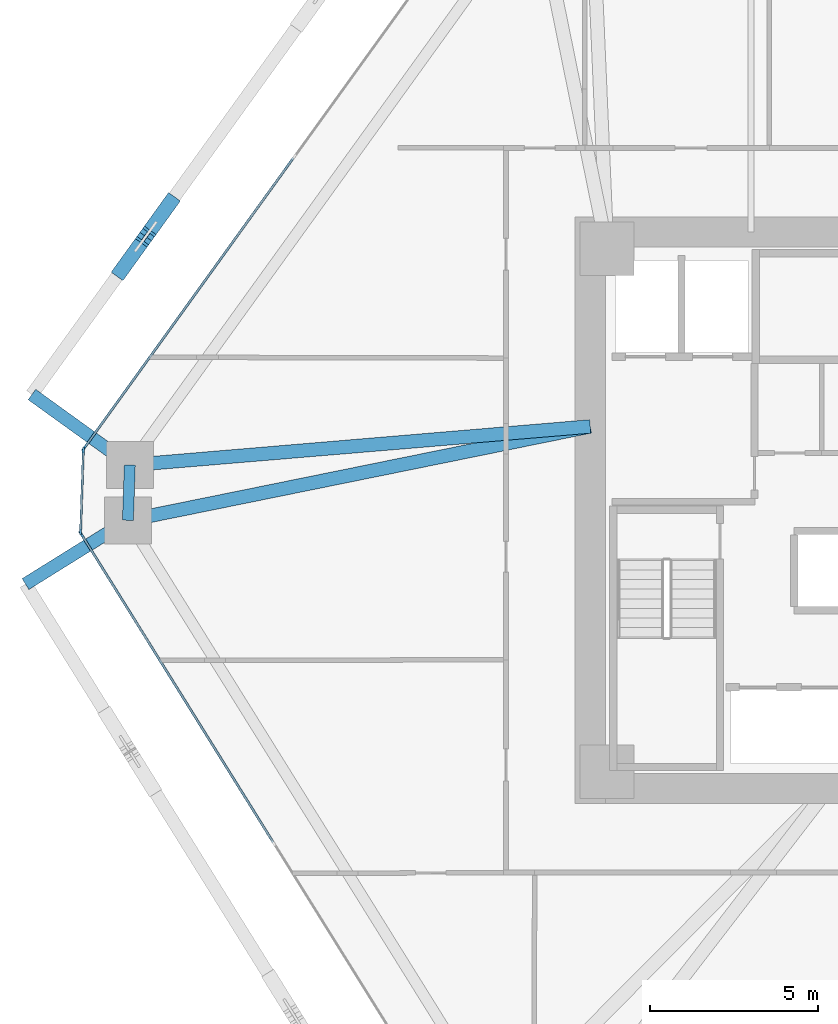
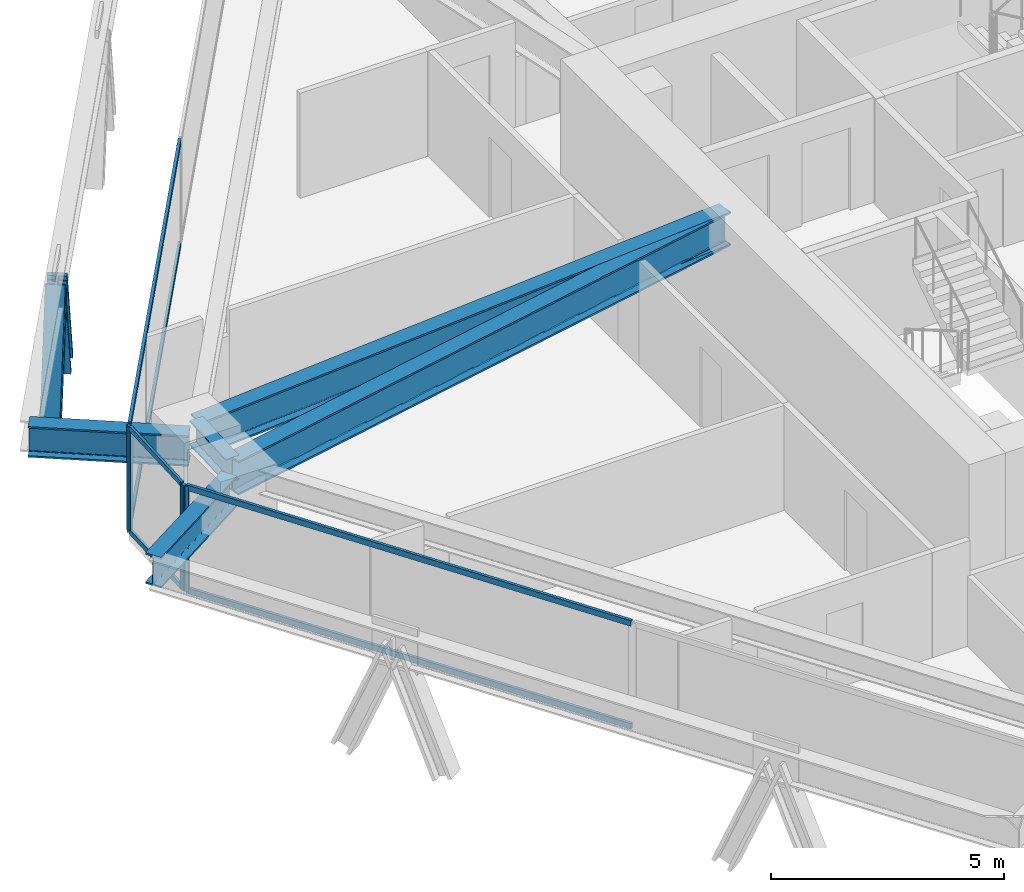
# One storey, part 4 of 18: 12 members, 5 beams, 3 elements without a shape of their own.
"""IFC4 building model written with IfcOpenShell, lengths in metres."""

import ifcopenshell
import ifcopenshell.guid

model = None  # the IFC model being written
_history = None  # IfcOwnerHistory: only IFC2X3 demands one
_inside = {}  # id of a spatial element -> (the spatial element, [elements in it])
_under = {}  # id of a project, library or spatial element -> (it, [spatial elements below it])
_declared = {}  # id of a project -> (the project, [libraries it declares])
_typed = {}  # id of a type object -> (the type object, [elements of that type])
_made_of = {}  # id of a material, layer set ... -> (it, [elements and type objects made of it])


def new_model(schema):
    """Start an empty IFC model of exactly this schema.

    Asked for "IFC4X3", IfcOpenShell would pick the latest addendum, in which some entities
    have other attributes; the version numbers below select the first issue.
    IFC2X3 requires an IfcOwnerHistory on every rooted entity: one is made here for all.
    """
    global model, _history
    if schema == "IFC4X3":
        model = ifcopenshell.file(schema_version=(4, 3, 0, 0))
    else:
        model = ifcopenshell.file(schema=schema)
    _inside.clear()
    _under.clear()
    _declared.clear()
    _typed.clear()
    _made_of.clear()
    _history = None
    if model.schema == "IFC2X3":
        org = make("IfcOrganization", Name="unknown")
        user = make(
            "IfcPersonAndOrganization",
            ThePerson=make("IfcPerson", FamilyName="unknown"),
            TheOrganization=org,
        )
        app = make(
            "IfcApplication",
            ApplicationDeveloper=org,
            Version="unknown",
            ApplicationFullName="unknown",
            ApplicationIdentifier="unknown",
        )
        _history = make(
            "IfcOwnerHistory",
            OwningUser=user,
            OwningApplication=app,
            ChangeAction="ADDED",
            CreationDate=0,
        )
    return model


def make(cls, **values):
    """One entity of the class cls with the attributes given. An attribute that is None is left unset."""
    return model.create_entity(
        cls, **{name: value for name, value in values.items() if value is not None}
    )


def rooted(cls, **values):
    """An entity with a GlobalId (a new one), such as an element, a storey or a relation."""
    return make(cls, GlobalId=ifcopenshell.guid.new(), OwnerHistory=_history, **values)


def si_unit(unit_type, name, prefix=None):
    """IfcSIUnit, for example si_unit("LENGTHUNIT", "METRE", prefix="MILLI")."""
    return make("IfcSIUnit", UnitType=unit_type, Prefix=prefix, Name=name)


def assignment(units):
    """IfcUnitAssignment: the units of a project."""
    return None if units is None else make("IfcUnitAssignment", Units=units)


def point(xyz):
    """IfcCartesianPoint."""
    return None if xyz is None else make("IfcCartesianPoint", Coordinates=xyz)


def direction(xyz):
    """IfcDirection."""
    return None if xyz is None else make("IfcDirection", DirectionRatios=xyz)


def frame(location, z_axis=None, x_axis=None):
    """IfcAxis2Placement3D, a coordinate frame: its origin and axes. An axis left out is left unset."""
    return make(
        "IfcAxis2Placement3D",
        Location=point(location),
        Axis=direction(z_axis),
        RefDirection=direction(x_axis),
    )


def frame_2d(location, x_axis=None):
    """IfcAxis2Placement2D, a coordinate frame in the plane: its origin and x axis."""
    return make(
        "IfcAxis2Placement2D", Location=point(location), RefDirection=direction(x_axis)
    )


def origin():
    """The frame at (0, 0, 0) with its axes left unset."""
    return frame((0.0, 0.0, 0.0))


def origin_2d():
    """The frame at (0, 0) in the plane with its x axis left unset."""
    return frame_2d((0.0, 0.0))


def place(relative_to, where):
    """IfcLocalPlacement: puts the frame where relative to a parent placement (None: the world)."""
    return make(
        "IfcLocalPlacement", PlacementRelTo=relative_to, RelativePlacement=where
    )


def context(
    kind, dimensions, precision=None, world=None, true_north=None, identifier=None
):
    """IfcGeometricRepresentationContext, for example the 3D "Model" context."""
    return make(
        "IfcGeometricRepresentationContext",
        ContextIdentifier=identifier,
        ContextType=kind,
        CoordinateSpaceDimension=dimensions,
        Precision=precision,
        WorldCoordinateSystem=world,
        TrueNorth=true_north,
    )


def subcontext(parent, identifier, kind, view, scale=None):
    """IfcGeometricRepresentationSubContext, for example "Body" below "Model"."""
    return make(
        "IfcGeometricRepresentationSubContext",
        ContextIdentifier=identifier,
        ContextType=kind,
        ParentContext=parent,
        TargetScale=scale,
        TargetView=view,
    )


def project(units=None, contexts=None):
    """IfcProject with its units and contexts."""
    return rooted(
        "IfcProject",
        Name="project",
        RepresentationContexts=contexts,
        UnitsInContext=assignment(units),
    )


def spatial(cls, under=None, at=None, **own):
    """A site, building, storey or space (cls), placed at a placement, below another one or the project."""
    s = rooted(cls, ObjectPlacement=at, **own)
    if under is not None:
        _under.setdefault(under.id(), (under, []))[1].append(s)
    return s


def profile(cls, at=None, kind="AREA", **sizes):
    """A parametric profile (cls). Its sizes go by their IFC names, for example OverallWidth=200.0."""
    return make(cls, ProfileType=kind, Position=at, **sizes)


def rectangle(**sizes):
    """IfcRectangleProfileDef."""
    return profile("IfcRectangleProfileDef", **sizes)


def i_section(**sizes):
    """IfcIShapeProfileDef."""
    return profile("IfcIShapeProfileDef", **sizes)


def extrude(swept, where, along, depth):
    """IfcExtrudedAreaSolid: the profile swept, set in the frame where, extruded along a direction by depth."""
    return make(
        "IfcExtrudedAreaSolid",
        SweptArea=swept,
        Position=where,
        ExtrudedDirection=direction(along),
        Depth=depth,
    )


def shape(context_of_items, identifier, shape_type, items):
    """IfcShapeRepresentation: the items that make up one representation, for example the "Body"."""
    return make(
        "IfcShapeRepresentation",
        ContextOfItems=context_of_items,
        RepresentationIdentifier=identifier,
        RepresentationType=shape_type,
        Items=items,
    )


def source(mapping_origin, context_of_items, identifier, shape_type, items):
    """IfcRepresentationMap: a shape defined once, which mapped items show again and again."""
    return make(
        "IfcRepresentationMap",
        MappingOrigin=mapping_origin,
        MappedRepresentation=shape(context_of_items, identifier, shape_type, items),
    )


def transform(
    local_origin,
    x_axis=None,
    y_axis=None,
    z_axis=None,
    scale=None,
    scale2=None,
    scale3=None,
    uniform=True,
):
    """IfcCartesianTransformationOperator3D, or its non-uniform kind. x_axis, y_axis, z_axis: its Axis1, 2, 3."""
    if uniform:
        return make(
            "IfcCartesianTransformationOperator3D",
            Axis1=direction(x_axis),
            Axis2=direction(y_axis),
            LocalOrigin=point(local_origin),
            Scale=scale,
            Axis3=direction(z_axis),
        )
    return make(
        "IfcCartesianTransformationOperator3DnonUniform",
        Axis1=direction(x_axis),
        Axis2=direction(y_axis),
        LocalOrigin=point(local_origin),
        Scale=scale,
        Axis3=direction(z_axis),
        Scale2=scale2,
        Scale3=scale3,
    )


def mapped(mapping_source, mapping_target):
    """IfcMappedItem: shows the shape of a source again, moved by a transform."""
    return make(
        "IfcMappedItem", MappingSource=mapping_source, MappingTarget=mapping_target
    )


def material(Name=None, Category=None):
    """IfcMaterial."""
    return make("IfcMaterial", Name=Name, Category=Category)


def layer(
    of_material, thickness, ventilated=None, Name=None, Category=None, Priority=None
):
    """IfcMaterialLayer: one layer of a wall or slab, of a material (None: an air gap)."""
    return make(
        "IfcMaterialLayer",
        Material=of_material,
        LayerThickness=thickness,
        IsVentilated=ventilated,
        Name=Name,
        Category=Category,
        Priority=Priority,
    )


def layer_set(layers, Name=None):
    """IfcMaterialLayerSet."""
    return make("IfcMaterialLayerSet", MaterialLayers=layers, LayerSetName=Name)


def material_profile(
    of_material, cross_section, Name=None, Category=None, Priority=None
):
    """IfcMaterialProfile: a cross section and its material."""
    return make(
        "IfcMaterialProfile",
        Name=Name,
        Material=of_material,
        Profile=cross_section,
        Priority=Priority,
        Category=Category,
    )


def profile_set(profiles, Name=None, composite=None):
    """IfcMaterialProfileSet."""
    return make(
        "IfcMaterialProfileSet",
        Name=Name,
        MaterialProfiles=profiles,
        CompositeProfile=composite,
    )


def made_of(thing, what):
    """Note that an element or type object is made of a material, layer set ...; save() writes the relation."""
    if what is not None:
        _made_of.setdefault(what.id(), (what, []))[1].append(thing)
    return thing


def type_object(cls, material=None, **own):
    """A type object (cls), such as IfcWallType, which elements share."""
    return made_of(rooted(cls, **own), material)


def type_shapes(of_type, sources):
    """Give a type object the sources (RepresentationMaps) that its elements show as mapped items."""
    of_type.RepresentationMaps = sources


def element(
    cls,
    number,
    at=None,
    inside=None,
    cuts=None,
    type_object=None,
    material=None,
    context=None,
    identifier="Body",
    shape_type=None,
    held_by="IfcProductDefinitionShape",
    body=None,
    shapes=None,
    **own,
):
    """One element of the class cls, such as IfcWall. Its Tag is "e" and its number.

    at: its placement. inside: the storey or other place that contains it. cuts: it is an
    opening in that element (IfcRelVoidsElement). A single representation is given by context,
    identifier, shape_type and body (its items); several are given by shapes. held_by: the class
    of the entity that holds the representations. save() writes the other relations.
    """
    e = rooted(cls, Tag="e%d" % number, ObjectPlacement=at, **own)
    if body is not None:
        shapes = [shape(context, identifier, shape_type, body)]
    if shapes is not None:
        e.Representation = make(held_by, Representations=shapes)
    if inside is not None:
        _inside.setdefault(inside.id(), (inside, []))[1].append(e)
    if cuts is not None:
        rooted(
            "IfcRelVoidsElement", RelatingBuildingElement=cuts, RelatedOpeningElement=e
        )
    if type_object is not None:
        _typed.setdefault(type_object.id(), (type_object, []))[1].append(e)
    return made_of(e, material)


def aggregate(whole, parts):
    """IfcRelAggregates: a whole, such as a stair, and the parts it consists of."""
    return rooted("IfcRelAggregates", RelatingObject=whole, RelatedObjects=parts)


def save(model, path):
    """Write the relations noted so far, then the file.

    IfcRelAggregates (storeys below a building ...), IfcRelContainedInSpatialStructure (elements
    in a storey), IfcRelDefinesByType, IfcRelAssociatesMaterial and IfcRelDeclares: one each for
    every whole, place, type object, material and project.
    """
    for whole, parts in _under.values():
        aggregate(whole, parts)
    for where, things in _inside.values():
        rooted(
            "IfcRelContainedInSpatialStructure",
            RelatedElements=things,
            RelatingStructure=where,
        )
    for kind, things in _typed.values():
        rooted("IfcRelDefinesByType", RelatedObjects=things, RelatingType=kind)
    for what, things in _made_of.values():
        rooted("IfcRelAssociatesMaterial", RelatedObjects=things, RelatingMaterial=what)
    for by, libraries in _declared.values():
        rooted("IfcRelDeclares", RelatingContext=by, RelatedDefinitions=libraries)
    model.write(path)


model = new_model("IFC4")

# Units and contexts
model_context = context("Model", 3, precision=1e-05, world=origin(), true_north=direction((0.0, 1.0)))
body_context = subcontext(model_context, "Body", "Model", "MODEL_VIEW")
ifc_project = project(units=[si_unit("LENGTHUNIT", "METRE"), si_unit("AREAUNIT", "SQUARE_METRE"), si_unit("VOLUMEUNIT", "CUBIC_METRE"), si_unit("PLANEANGLEUNIT", "RADIAN"), si_unit("MASSUNIT", "GRAM", prefix="KILO")], contexts=[model_context])

# Site, building, storey
site_placement = place(None, origin())
site = spatial("IfcSite", under=ifc_project, at=site_placement, CompositionType="ELEMENT")
building_placement = place(site_placement, origin())
building = spatial("IfcBuilding", under=site, at=building_placement, Name="Durnholm Broadcast Tower", CompositionType="ELEMENT")
storey_placement = place(building_placement, frame((0.0, 0.0, 78.300048828125)))
storey = spatial("IfcBuildingStorey", under=building, at=storey_placement, Name="L20", CompositionType="ELEMENT", Elevation=78.300048828125)

# Beams
ifc_material_1 = material(Name="Steel ASTM A992 Grade 50", Category="steel")
ifc_material_profile_1 = material_profile(ifc_material_1, i_section(OverallWidth=0.3291015625, OverallDepth=0.635009765625, WebThickness=0.017822265625, FlangeThickness=0.031005859375, FilletRadius=0.02783203125, at=origin_2d()), Name="W24X162")
ifc_profile_set_1 = profile_set([ifc_material_profile_1], Name="Steel ASTM A992 Grade 50")
beam_type_1 = type_object("IfcBeamType", Name="STL-SP-W24X162", PredefinedType="SPANDREL", material=ifc_profile_set_1)
shared_shape_1 = source(origin(), body_context, "Body", "SweptSolid", [
    extrude(i_section(OverallWidth=0.3291015625, OverallDepth=0.635009765625, WebThickness=0.017822265625, FlangeThickness=0.031005859375, FilletRadius=0.02783203125, at=origin_2d()), origin(), (0.0, 0.0, 1.0), 1.648193359375),
])
type_shapes(beam_type_1, [shared_shape_1])
beam_1_placement = place(storey_placement, frame((-24.0908203125, -0.2998046875, 2.427490234375), z_axis=(0.033921477804, 0.999424501072, 0.0), x_axis=(-0.999424501072, 0.033921477804, 0.0)))
element("IfcBeam", 1, at=beam_1_placement, inside=storey, type_object=beam_type_1, Name="L20 perimeter spandrel girder 02", PredefinedType="SPANDREL", context=body_context, shape_type="MappedRepresentation", body=[
    mapped(shared_shape_1, transform((0.0, 0.0, 0.0), x_axis=(1.0, 0.0, 0.0), y_axis=(0.0, 1.0, 0.0), z_axis=(0.0, 0.0, 1.0), scale=1.0)),
])
ifc_material_profile_2 = material_profile(ifc_material_1, i_section(OverallWidth=0.404052734375, OverallDepth=0.885009765625, WebThickness=0.0244140625, FlangeThickness=0.0439453125, FilletRadius=0.03564453125, at=origin_2d()), Name="W33X291")
ifc_profile_set_2 = profile_set([ifc_material_profile_2], Name="Steel ASTM A992 Grade 50")
beam_type_2 = type_object("IfcBeamType", Name="STL-GR-W33X291", PredefinedType="USERDEFINED", material=ifc_profile_set_2)
shared_shape_2 = source(origin(), body_context, "Body", "SweptSolid", [
    extrude(i_section(OverallWidth=0.404052734375, OverallDepth=0.885009765625, WebThickness=0.0244140625, FlangeThickness=0.0439453125, FilletRadius=0.03564453125, at=origin_2d()), origin(), (0.0, 0.0, 1.0), 14.072021484375),
])
beam_2_placement = place(storey_placement, frame((-10.300048828125, 2.5, 2.302490234375), z_axis=(-0.980007356767, -0.198961254225, 0.0), x_axis=(0.198961254225, -0.980007356767, 0.0)))
element("IfcBeam", 2, at=beam_2_placement, inside=storey, type_object=beam_type_2, Name="L20 radial primary floor girder 02", ObjectType="GIRDER", PredefinedType="USERDEFINED", context=body_context, shape_type="MappedRepresentation", body=[
    mapped(shared_shape_2, transform((0.0, 0.0, 0.0), x_axis=(1.0, 0.0, 0.0), y_axis=(0.0, 1.0, 0.0), z_axis=(0.0, 0.0, 1.0), scale=1.0)),
])
shared_shape_3 = source(origin(), body_context, "Body", "SweptSolid", [
    extrude(i_section(OverallWidth=0.404052734375, OverallDepth=0.885009765625, WebThickness=0.0244140625, FlangeThickness=0.0439453125, FilletRadius=0.03564453125, at=origin_2d()), origin(), (0.0, 0.0, 1.0), 13.783203125),
])
type_shapes(beam_type_2, [shared_shape_2, shared_shape_3])
beam_3_placement = place(storey_placement, frame((-10.300048828125, 2.5, 2.302490234375), z_axis=(-0.996497460403, -0.083623031579, 0.0), x_axis=(0.083623031579, -0.996497460403, 0.0)))
element("IfcBeam", 3, at=beam_3_placement, inside=storey, type_object=beam_type_2, Name="L20 radial primary floor girder 03", ObjectType="GIRDER", PredefinedType="USERDEFINED", context=body_context, shape_type="MappedRepresentation", body=[
    mapped(shared_shape_3, transform((0.0, 0.0, 0.0), x_axis=(1.0, 0.0, 0.0), y_axis=(0.0, 1.0, 0.0), z_axis=(0.0, 0.0, 1.0), scale=1.0)),
])
ifc_material_profile_3 = material_profile(ifc_material_1, i_section(OverallWidth=0.385009765625, OverallDepth=0.802978515625, WebThickness=0.023681640625, FlangeThickness=0.0419921875, FilletRadius=0.032958984375, at=origin_2d()), Name="W30X261")
ifc_profile_set_3 = profile_set([ifc_material_profile_3], Name="Steel ASTM A992 Grade 50")
beam_type_3 = type_object("IfcBeamType", Name="BM-EXO-TIE", PredefinedType="USERDEFINED", material=ifc_profile_set_3)
shared_shape_4 = source(origin(), body_context, "Body", "SweptSolid", [
    extrude(i_section(OverallWidth=0.385009765625, OverallDepth=0.802978515625, WebThickness=0.023681640625, FlangeThickness=0.0419921875, FilletRadius=0.032958984375, at=origin_2d()), origin(), (0.0, 0.0, 1.0), 3.4560546875),
])
beam_4_placement = place(storey_placement, frame((-24.212890625, -0.375732421875, 2.008544921875), z_axis=(-0.848874183218, -0.528594949906, 0.0), x_axis=(0.528594949906, -0.848874183218, 0.0)))
element("IfcBeam", 4, at=beam_4_placement, inside=storey, type_object=beam_type_3, Name="L20 exoskeleton stand-off tie bracket F6.1", ObjectType="GIRDER", PredefinedType="USERDEFINED", context=body_context, shape_type="MappedRepresentation", body=[
    mapped(shared_shape_4, transform((0.0, 0.0, 0.0), x_axis=(1.0, 0.0, 0.0), y_axis=(0.0, 1.0, 0.0), z_axis=(0.0, 0.0, 1.0), scale=1.0)),
])
shared_shape_5 = source(origin(), body_context, "Body", "SweptSolid", [
    extrude(i_section(OverallWidth=0.385009765625, OverallDepth=0.802978515625, WebThickness=0.023681640625, FlangeThickness=0.0419921875, FilletRadius=0.032958984375, at=origin_2d()), origin(), (0.0, 0.0, 1.0), 3.455810546875),
])
type_shapes(beam_type_3, [shared_shape_4, shared_shape_5])
beam_5_placement = place(storey_placement, frame((-24.15185546875, 1.431396484375, 2.008544921875), z_axis=(-0.811133512552, 0.584861030344, 0.0), x_axis=(-0.584861030344, -0.811133512552, 0.0)))
element("IfcBeam", 5, at=beam_5_placement, inside=storey, type_object=beam_type_3, Name="L20 exoskeleton stand-off tie bracket F5.2", ObjectType="GIRDER", PredefinedType="USERDEFINED", context=body_context, shape_type="MappedRepresentation", body=[
    mapped(shared_shape_5, transform((0.0, 0.0, 0.0), x_axis=(1.0, 0.0, 0.0), y_axis=(0.0, 1.0, 0.0), z_axis=(0.0, 0.0, 1.0), scale=1.0)),
])

# Members
ifc_material_2 = material(Name="Steel ASTM A913 Grade 65", Category="steel")
ifc_material_profile_4 = material_profile(ifc_material_2, i_section(OverallWidth=0.43212890625, OverallDepth=0.497802734375, WebThickness=0.0556640625, FlangeThickness=0.0888671875, FilletRadius=0.030517578125, at=origin_2d()), Name="W14X500")
ifc_profile_set_4 = profile_set([ifc_material_profile_4], Name="Steel ASTM A913 Grade 65")
member_type_1 = type_object("IfcMemberType", Name="STL-DG-W14X500", PredefinedType="BRACE", material=ifc_profile_set_4)
shared_shape_6 = source(origin(), body_context, "Body", "SweptSolid", [
    extrude(i_section(OverallWidth=0.43212890625, OverallDepth=0.497802734375, WebThickness=0.0556640625, FlangeThickness=0.0888671875, FilletRadius=0.030517578125, at=origin_2d()), origin(), (0.0, 0.0, 1.0), 3.243896484375),
])
member_1_placement = place(storey_placement, frame((-22.837890625, 9.163330078125, -0.991455078125), z_axis=(-0.222479198439, -0.308505492017, 0.924839103659), x_axis=(0.81109123444, -0.58491966065, 0.0)))
element("IfcMember", 6, at=member_1_placement, inside=storey, type_object=member_type_1, Name="L20 stand-off diagrid brace F5.D2.1", PredefinedType="BRACE", context=body_context, shape_type="MappedRepresentation", body=[
    mapped(shared_shape_6, transform((0.0, 0.0, 0.0), x_axis=(1.0, 0.0, 0.0), y_axis=(0.0, 1.0, 0.0), z_axis=(0.0, 0.0, 1.0), scale=1.0)),
])
shared_shape_7 = source(origin(), body_context, "Body", "SweptSolid", [
    extrude(i_section(OverallWidth=0.43212890625, OverallDepth=0.497802734375, WebThickness=0.0556640625, FlangeThickness=0.0888671875, FilletRadius=0.030517578125, at=origin_2d()), origin(), (0.0, 0.0, 1.0), 3.24365234375),
])
type_shapes(member_type_1, [shared_shape_6, shared_shape_7])
member_2_placement = place(storey_placement, frame((-24.281005859375, 7.161865234375, -0.991455078125), z_axis=(0.222407658365, 0.308510657069, 0.924854587476), x_axis=(-0.811185111535, 0.584789461963, 0.0)))
element("IfcMember", 7, at=member_2_placement, inside=storey, type_object=member_type_1, Name="L20 stand-off diagrid brace F5.D2.2", PredefinedType="BRACE", context=body_context, shape_type="MappedRepresentation", body=[
    mapped(shared_shape_7, transform((0.0, 0.0, 0.0), x_axis=(1.0, 0.0, 0.0), y_axis=(0.0, 1.0, 0.0), z_axis=(0.0, 0.0, 1.0), scale=1.0)),
])

# Curtain wall, members
ifc_material_3 = material(Name="Aluminium and Solar Control IGU", Category="aluminium")
ifc_layer_1 = layer(ifc_material_3, 0.1650390625)
ifc_layer_set_1 = layer_set([ifc_layer_1], Name="Aluminium and Solar Control IGU")
curtain_wall_type_1 = type_object("IfcCurtainWallType", Name="CW-SYS-5", PredefinedType="NOTDEFINED", material=ifc_layer_set_1)
curtain_wall_1_placement = place(storey_placement, origin())
curtain_wall_1 = element("IfcCurtainWall", 8, at=curtain_wall_1_placement, inside=storey, type_object=curtain_wall_type_1, Name="L20 curtain wall CW-CORNER CW-L20-CRN-01", PredefinedType="NOTDEFINED")
ifc_material_4 = material(Name="Aluminium 6063-T6", Category="aluminium")
ifc_material_profile_5 = material_profile(ifc_material_4, rectangle(XDim=0.06494140625, YDim=0.1298828125, at=origin_2d()), Name="CWT65X130")
ifc_profile_set_5 = profile_set([ifc_material_profile_5], Name="Aluminium 6063-T6")
member_type_2 = type_object("IfcMemberType", Name="CW-SYS-5-TRN", PredefinedType="USERDEFINED", material=ifc_profile_set_5)
shared_shape_8 = source(origin(), body_context, "Body", "SweptSolid", [
    extrude(rectangle(XDim=0.06494140625, YDim=0.1298828125, at=origin_2d()), origin(), (0.0, 0.0, 1.0), 2.3701171875),
])
type_shapes(member_type_2, [shared_shape_8])
member_3_placement = place(storey_placement, frame((-25.502197265625, -0.613037109375, 0.032470703125), z_axis=(0.033788158898, 0.999429017148, 0.0), x_axis=(-0.999429017148, 0.033788158898, 0.0)))
member_3 = element("IfcMember", 9, at=member_3_placement, type_object=member_type_2, Name="CW-CORNER transom 1.1", ObjectType="TRANSOM", PredefinedType="USERDEFINED", context=body_context, shape_type="MappedRepresentation", body=[
    mapped(shared_shape_8, transform((0.0, 0.0, 0.0), x_axis=(1.0, 0.0, 0.0), y_axis=(0.0, 1.0, 0.0), z_axis=(0.0, 0.0, 1.0), scale=1.0)),
])
member_4_placement = place(storey_placement, frame((-25.502197265625, -0.613037109375, 2.7275390625), z_axis=(0.033788158898, 0.999429017148, 0.0), x_axis=(-0.999429017148, 0.033788158898, 0.0)))
member_4 = element("IfcMember", 10, at=member_4_placement, type_object=member_type_2, Name="CW-CORNER transom 1.2", ObjectType="TRANSOM", PredefinedType="USERDEFINED", context=body_context, shape_type="MappedRepresentation", body=[
    mapped(shared_shape_8, transform((0.0, 0.0, 0.0), x_axis=(1.0, 0.0, 0.0), y_axis=(0.0, 1.0, 0.0), z_axis=(0.0, 0.0, 1.0), scale=1.0)),
])

ifc_layer_2 = layer(ifc_material_3, 0.18994140625)
ifc_layer_set_2 = layer_set([ifc_layer_2], Name="Aluminium and Solar Control IGU")
curtain_wall_type_2 = type_object("IfcCurtainWallType", Name="CW-SYS-3", PredefinedType="NOTDEFINED", material=ifc_layer_set_2)
curtain_wall_2_placement = place(storey_placement, origin())
curtain_wall_2 = element("IfcCurtainWall", 11, at=curtain_wall_2_placement, inside=storey, type_object=curtain_wall_type_2, Name="L20 curtain wall CW-Z12-VIS CW-L20-F02", PredefinedType="NOTDEFINED")
ifc_material_profile_6 = material_profile(ifc_material_4, rectangle(XDim=0.070068359375, YDim=0.14990234375, at=origin_2d()), Name="CWT70X150")
ifc_profile_set_6 = profile_set([ifc_material_profile_6], Name="Aluminium 6063-T6")
member_type_3 = type_object("IfcMemberType", Name="CW-SYS-3-TRN", PredefinedType="USERDEFINED", material=ifc_profile_set_6)
shared_shape_9 = source(origin(), body_context, "Body", "SweptSolid", [
    extrude(rectangle(XDim=0.070068359375, YDim=0.14990234375, at=origin_2d()), origin(), (0.0, 0.0, 1.0), 10.6455078125),
])
member_5_placement = place(storey_placement, frame((-25.37890625, 1.877197265625, 0.034912109375), z_axis=(0.584812103659, 0.811168788486, 0.0), x_axis=(-0.811168788486, 0.584812103659, 0.0)))
member_5 = element("IfcMember", 12, at=member_5_placement, type_object=member_type_3, Name="CW-Z12-VIS transom 1.1", ObjectType="TRANSOM", PredefinedType="USERDEFINED", context=body_context, shape_type="MappedRepresentation", body=[
    mapped(shared_shape_9, transform((0.0, 0.0, 0.0), x_axis=(1.0, 0.0, 0.0), y_axis=(0.0, 1.0, 0.0), z_axis=(0.0, 0.0, 1.0), scale=1.0)),
])
member_6_placement = place(storey_placement, frame((-25.37890625, 1.877197265625, 2.724853515625), z_axis=(0.584812103659, 0.811168788486, 0.0), x_axis=(-0.811168788486, 0.584812103659, 0.0)))
member_6 = element("IfcMember", 13, at=member_6_placement, type_object=member_type_3, Name="CW-Z12-VIS transom 1.2", ObjectType="TRANSOM", PredefinedType="USERDEFINED", context=body_context, shape_type="MappedRepresentation", body=[
    mapped(shared_shape_9, transform((0.0, 0.0, 0.0), x_axis=(1.0, 0.0, 0.0), y_axis=(0.0, 1.0, 0.0), z_axis=(0.0, 0.0, 1.0), scale=1.0)),
])

curtain_wall_3_placement = place(storey_placement, origin())
curtain_wall_3 = element("IfcCurtainWall", 14, at=curtain_wall_3_placement, inside=storey, type_object=curtain_wall_type_2, Name="L20 curtain wall CW-Z12-VIS CW-L20-F12", PredefinedType="NOTDEFINED")
shared_shape_10 = source(origin(), body_context, "Body", "SweptSolid", [
    extrude(rectangle(XDim=0.070068359375, YDim=0.14990234375, at=origin_2d()), origin(), (0.0, 0.0, 1.0), 10.796630859375),
])
type_shapes(member_type_3, [shared_shape_9, shared_shape_10])
member_7_placement = place(storey_placement, frame((-19.760498046875, -9.902587890625, 0.034912109375), z_axis=(-0.528575362968, 0.848886379714, 0.0), x_axis=(-0.848886379714, -0.528575362968, 0.0)))
member_7 = element("IfcMember", 15, at=member_7_placement, type_object=member_type_3, Name="CW-Z12-VIS transom 2.1", ObjectType="TRANSOM", PredefinedType="USERDEFINED", context=body_context, shape_type="MappedRepresentation", body=[
    mapped(shared_shape_10, transform((0.0, 0.0, 0.0), x_axis=(1.0, 0.0, 0.0), y_axis=(0.0, 1.0, 0.0), z_axis=(0.0, 0.0, 1.0), scale=1.0)),
])
member_8_placement = place(storey_placement, frame((-19.760498046875, -9.902587890625, 2.724853515625), z_axis=(-0.528575362968, 0.848886379714, 0.0), x_axis=(-0.848886379714, -0.528575362968, 0.0)))
member_8 = element("IfcMember", 16, at=member_8_placement, type_object=member_type_3, Name="CW-Z12-VIS transom 2.2", ObjectType="TRANSOM", PredefinedType="USERDEFINED", context=body_context, shape_type="MappedRepresentation", body=[
    mapped(shared_shape_10, transform((0.0, 0.0, 0.0), x_axis=(1.0, 0.0, 0.0), y_axis=(0.0, 1.0, 0.0), z_axis=(0.0, 0.0, 1.0), scale=1.0)),
])

# Member
ifc_material_profile_7 = material_profile(ifc_material_4, rectangle(XDim=0.06494140625, YDim=0.1650390625, at=origin_2d()), Name="CWM65X165")
ifc_profile_set_7 = profile_set([ifc_material_profile_7], Name="Aluminium 6063-T6")
member_type_4 = type_object("IfcMemberType", Name="CW-SYS-5-MUL", PredefinedType="MULLION", material=ifc_profile_set_7)
shared_shape_11 = source(origin(), body_context, "Body", "SweptSolid", [
    extrude(rectangle(XDim=0.06494140625, YDim=0.1650390625, at=origin_2d()), origin(), (0.0, 0.0, 1.0), 2.760009765625),
])
type_shapes(member_type_4, [shared_shape_11])
member_9_placement = place(storey_placement, frame((-25.50341796875, -0.6455078125, 0.0), z_axis=(0.0, 0.0, 1.0), x_axis=(-0.999427277772, 0.033839569233, 0.0)))
member_9 = element("IfcMember", 17, at=member_9_placement, type_object=member_type_4, Name="CW-CORNER mullion 1", PredefinedType="MULLION", context=body_context, shape_type="MappedRepresentation", body=[
    mapped(shared_shape_11, transform((0.0, 0.0, 0.0), x_axis=(1.0, 0.0, 0.0), y_axis=(0.0, 1.0, 0.0), z_axis=(0.0, 0.0, 1.0), scale=1.0)),
])

member_10_placement = place(storey_placement, frame((-25.4208984375, 1.7880859375, 0.0), z_axis=(0.0, 0.0, 1.0), x_axis=(-0.999427277772, 0.033839569233, 0.0)))
member_10 = element("IfcMember", 18, at=member_10_placement, type_object=member_type_4, Name="CW-CORNER mullion 2", PredefinedType="MULLION", context=body_context, shape_type="MappedRepresentation", body=[
    mapped(shared_shape_11, transform((0.0, 0.0, 0.0), x_axis=(1.0, 0.0, 0.0), y_axis=(0.0, 1.0, 0.0), z_axis=(0.0, 0.0, 1.0), scale=1.0)),
])

aggregate(curtain_wall_1, [member_9, member_10, member_3, member_4])

ifc_material_profile_8 = material_profile(ifc_material_4, rectangle(XDim=0.070068359375, YDim=0.18994140625, at=origin_2d()), Name="CWM70X190")
ifc_profile_set_8 = profile_set([ifc_material_profile_8], Name="Aluminium 6063-T6")
member_type_5 = type_object("IfcMemberType", Name="CW-SYS-3-MUL", PredefinedType="MULLION", material=ifc_profile_set_8)
shared_shape_12 = source(origin(), body_context, "Body", "SweptSolid", [
    extrude(rectangle(XDim=0.070068359375, YDim=0.18994140625, at=origin_2d()), origin(), (0.0, 0.0, 1.0), 2.760009765625),
])
type_shapes(member_type_5, [shared_shape_12])
member_11_placement = place(storey_placement, frame((-25.3994140625, 1.848876953125, 0.0), z_axis=(0.0, 0.0, 1.0), x_axis=(-0.81116057493, 0.584823496176, 0.0)))
member_11 = element("IfcMember", 19, at=member_11_placement, type_object=member_type_5, Name="CW-Z12-VIS mullion 1", PredefinedType="MULLION", context=body_context, shape_type="MappedRepresentation", body=[
    mapped(shared_shape_12, transform((0.0, 0.0, 0.0), x_axis=(1.0, 0.0, 0.0), y_axis=(0.0, 1.0, 0.0), z_axis=(0.0, 0.0, 1.0), scale=1.0)),
])

aggregate(curtain_wall_2, [member_11, member_5, member_6])

member_12_placement = place(storey_placement, frame((-25.48583984375, -0.707763671875, 0.0), z_axis=(0.0, 0.0, 1.0), x_axis=(-0.848875785503, -0.528592376777, 0.0)))
member_12 = element("IfcMember", 20, at=member_12_placement, type_object=member_type_5, Name="CW-Z12-VIS mullion 3", PredefinedType="MULLION", context=body_context, shape_type="MappedRepresentation", body=[
    mapped(shared_shape_12, transform((0.0, 0.0, 0.0), x_axis=(1.0, 0.0, 0.0), y_axis=(0.0, 1.0, 0.0), z_axis=(0.0, 0.0, 1.0), scale=1.0)),
])

aggregate(curtain_wall_3, [member_12, member_7, member_8])

save(model, "model.ifc")
